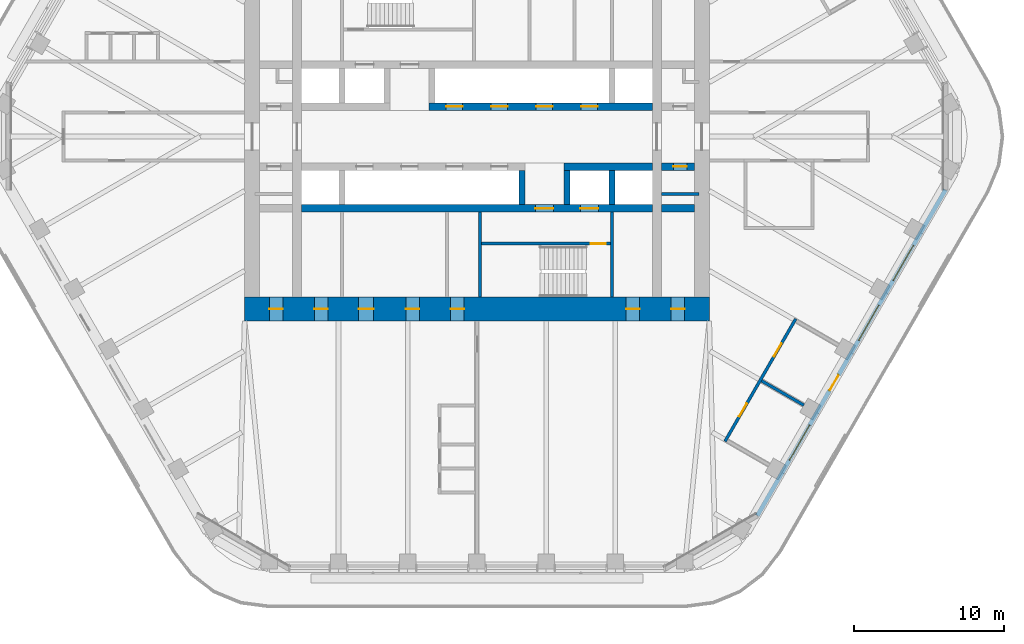
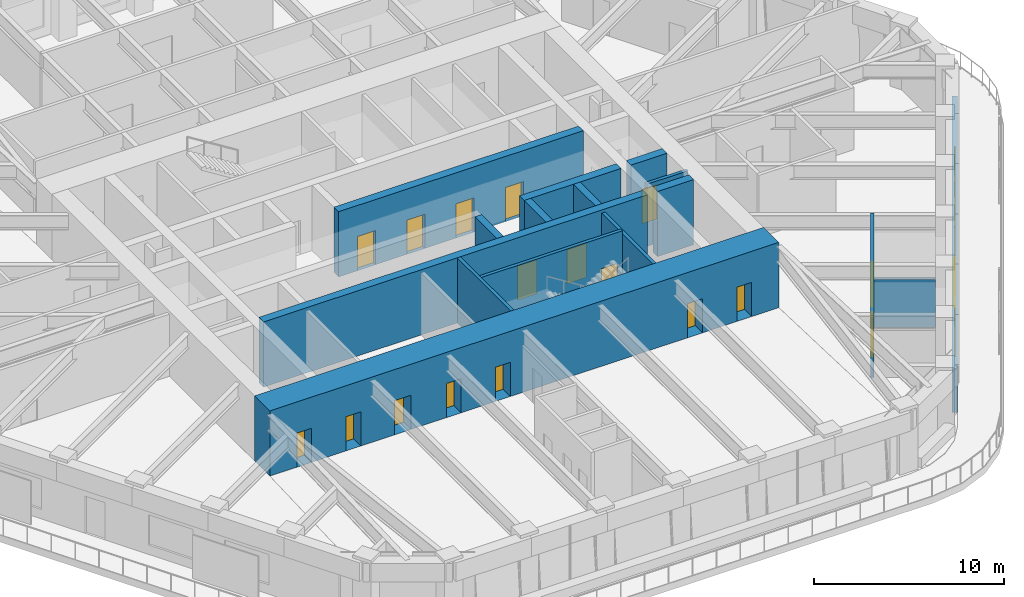
# One storey, part 15 of 20: 18 doors, 16 walls, 3 windows, 21 openings.
"""IFC4 building model written with IfcOpenShell, lengths in metres."""

from ifc_helpers import new_model, si_unit, direction, frame, frame_2d, origin, place, context, subcontext, project, spatial, rectangle, extrude, material, layer, layer_set, type_object, element, fill, save


model = new_model("IFC4")

# Units and contexts
model_context = context("Model", 3, precision=1e-05, world=origin(), true_north=direction((0.0, 1.0)))
body_context = subcontext(model_context, "Body", "Model", "MODEL_VIEW")
ifc_project = project(units=[si_unit("LENGTHUNIT", "METRE"), si_unit("AREAUNIT", "SQUARE_METRE"), si_unit("VOLUMEUNIT", "CUBIC_METRE"), si_unit("PLANEANGLEUNIT", "RADIAN"), si_unit("MASSUNIT", "GRAM", prefix="KILO")], contexts=[model_context])

# Site, building, storey
site_placement = place(None, origin())
site = spatial("IfcSite", under=ifc_project, at=site_placement, CompositionType="ELEMENT")
building_placement = place(site_placement, origin())
building = spatial("IfcBuilding", under=site, at=building_placement, Name="Tarfa Lantern Tower", CompositionType="ELEMENT")
storey_placement = place(building_placement, frame((0.0, 0.0, 278.5)))
storey = spatial("IfcBuildingStorey", under=building, at=storey_placement, Name="L63", CompositionType="ELEMENT", Elevation=278.5)

# Wall, openings, door, windows
ifc_material_1 = material(Name="Limestone cladding on blockwork", Category="masonry")
ifc_layer_1 = layer(ifc_material_1, 0.300048828125)
ifc_layer_set_1 = layer_set([ifc_layer_1], Name="EW1 STONE-CLAD WALL 300")
wall_type_1 = type_object("IfcWallType", Name="EW1 STONE-CLAD WALL 300", PredefinedType="SOLIDWALL", material=ifc_layer_set_1)
wall_1_placement = place(storey_placement, frame((18.70654296875, -25.299072265625, 0.0), z_axis=(0.0, 0.0, 1.0), x_axis=(0.500000442367, 0.866025148383, 0.0)))
wall_1 = element("IfcWall", 1, at=wall_1_placement, inside=storey, type_object=wall_type_1, Name="Stone wall SE", PredefinedType="SOLIDWALL", context=body_context, shape_type="SweptSolid", body=[
    extrude(rectangle(XDim=25.11279296875, YDim=0.300048828125, at=frame_2d((12.556396484375, 0.0))), origin(), (0.0, 0.0, 1.0), 2.800048828125),
])
opening_1_placement = place(wall_1_placement, frame((4.2783203125, 0.0, 0.60009765625)))
opening_1 = element("IfcOpeningElement", 2, at=opening_1_placement, cuts=wall_1, Name="Opening W14", PredefinedType="OPENING", context=body_context, shape_type="SweptSolid", body=[
    extrude(rectangle(XDim=2.699951171875, YDim=1.949951171875, at=frame_2d((1.35009765625, 0.97509765625))), frame((0.0, 0.159912109375, 0.0), z_axis=(0.0, -1.0, 0.0), x_axis=(1.0, 0.0, 0.0)), (0.0, 0.0, 1.0), 0.320068359375),
])
opening_2_placement = place(wall_1_placement, frame((9.64697265625, 0.0, 0.0)))
opening_2 = element("IfcOpeningElement", 3, at=opening_2_placement, cuts=wall_1, Name="Opening D51", PredefinedType="OPENING", context=body_context, shape_type="SweptSolid", body=[
    extrude(rectangle(XDim=1.199951171875, YDim=2.39990234375, at=frame_2d((0.60009765625, 1.199951171875))), frame((0.0, 0.159912109375, 0.0), z_axis=(0.0, -1.0, 0.0), x_axis=(1.0, 0.0, 0.0)), (0.0, 0.0, 1.0), 0.320068359375),
])
opening_3_placement = place(wall_1_placement, frame((13.515869140625, 0.0, 0.60009765625)))
opening_3 = element("IfcOpeningElement", 4, at=opening_3_placement, cuts=wall_1, Name="Opening W14", PredefinedType="OPENING", context=body_context, shape_type="SweptSolid", body=[
    extrude(rectangle(XDim=2.699951171875, YDim=1.949951171875, at=frame_2d((1.35009765625, 0.97509765625))), frame((0.0, 0.159912109375, 0.0), z_axis=(0.0, -1.0, 0.0), x_axis=(1.0, 0.0, 0.0)), (0.0, 0.0, 1.0), 0.320068359375),
])
opening_4_placement = place(wall_1_placement, frame((18.134521484375, 0.0, 0.60009765625)))
opening_4 = element("IfcOpeningElement", 5, at=opening_4_placement, cuts=wall_1, Name="Opening W14", PredefinedType="OPENING", context=body_context, shape_type="SweptSolid", body=[
    extrude(rectangle(XDim=2.699951171875, YDim=1.949951171875, at=frame_2d((1.35009765625, 0.97509765625))), frame((0.0, 0.159912109375, 0.0), z_axis=(0.0, -1.0, 0.0), x_axis=(1.0, 0.0, 0.0)), (0.0, 0.0, 1.0), 0.320068359375),
])
ifc_material_2 = material(Name="Aluminium framed glazed door", Category="aluminium")
door_type_1 = type_object("IfcDoorType", Name="BE3 BALCONY DOOR 1200x2400", OperationType="SINGLE_SWING_RIGHT", PredefinedType="DOOR", material=ifc_material_2)
door_1_placement = place(opening_2_placement, origin())
door_1 = element("IfcDoor", 6, at=door_1_placement, inside=storey, type_object=door_type_1, Name="Balcony door SE", OperationType="SINGLE_SWING_RIGHT", OverallHeight=2.39990234375, OverallWidth=1.199951171875, PredefinedType="DOOR", context=body_context, shape_type="SweptSolid", body=[
    extrude(rectangle(XDim=1.199951171875, YDim=2.39990234375, at=frame_2d((0.60009765625, 1.199951171875))), frame((0.0, 0.02490234375, 0.0), z_axis=(0.0, -1.0, 0.0), x_axis=(1.0, 0.0, 0.0)), (0.0, 0.0, 1.0), 0.050048828125),
])
fill(opening_2, door_1)
ifc_material_3 = material(Name="Aluminium frame, double glazed", Category="aluminium")
window_type = type_object("IfcWindowType", Name="W14 FULL-HEIGHT GLAZING 2700x1950", PartitioningType="SINGLE_PANEL", PredefinedType="WINDOW", material=ifc_material_3)
window_1_placement = place(opening_1_placement, origin())
window_1 = element("IfcWindow", 7, at=window_1_placement, inside=storey, type_object=window_type, Name="Window SE 2", OverallHeight=1.949951171875, OverallWidth=2.699951171875, PartitioningType="SINGLE_PANEL", PredefinedType="WINDOW", context=body_context, shape_type="SweptSolid", body=[
    extrude(rectangle(XDim=2.699951171875, YDim=1.949951171875, at=frame_2d((1.35009765625, 0.97509765625))), frame((0.0, 0.030029296875, 0.0), z_axis=(0.0, -1.0, 0.0), x_axis=(1.0, 0.0, 0.0)), (0.0, 0.0, 1.0), 0.06005859375),
])
fill(opening_1, window_1)
window_2_placement = place(opening_3_placement, origin())
window_2 = element("IfcWindow", 8, at=window_2_placement, inside=storey, type_object=window_type, Name="Window SE 4", OverallHeight=1.949951171875, OverallWidth=2.699951171875, PartitioningType="SINGLE_PANEL", PredefinedType="WINDOW", context=body_context, shape_type="SweptSolid", body=[
    extrude(rectangle(XDim=2.699951171875, YDim=1.949951171875, at=frame_2d((1.35009765625, 0.97509765625))), frame((0.0, 0.030029296875, 0.0), z_axis=(0.0, -1.0, 0.0), x_axis=(1.0, 0.0, 0.0)), (0.0, 0.0, 1.0), 0.06005859375),
])
fill(opening_3, window_2)
window_3_placement = place(opening_4_placement, origin())
window_3 = element("IfcWindow", 9, at=window_3_placement, inside=storey, type_object=window_type, Name="Window SE 5", OverallHeight=1.949951171875, OverallWidth=2.699951171875, PartitioningType="SINGLE_PANEL", PredefinedType="WINDOW", context=body_context, shape_type="SweptSolid", body=[
    extrude(rectangle(XDim=2.699951171875, YDim=1.949951171875, at=frame_2d((1.35009765625, 0.97509765625))), frame((0.0, 0.030029296875, 0.0), z_axis=(0.0, -1.0, 0.0), x_axis=(1.0, 0.0, 0.0)), (0.0, 0.0, 1.0), 0.06005859375),
])
fill(opening_4, window_3)

# Walls
ifc_material_4 = material(Name="Concrete blockwork", Category="masonry")
ifc_layer_2 = layer(ifc_material_4, 0.199951171875)
ifc_layer_set_2 = layer_set([ifc_layer_2], Name="IW1 BLOCKWORK PARTITION 200 EI 120")
wall_type_2 = type_object("IfcWallType", Name="IW1 BLOCKWORK PARTITION 200 EI 120", PredefinedType="PARTITIONING", material=ifc_layer_set_2)
wall_2_placement = place(storey_placement, frame((9.0, -5.050048828125, 0.0), z_axis=(0.0, 0.0, 1.0), x_axis=(0.0, -1.0, 0.0)))
element("IfcWall", 10, at=wall_2_placement, inside=storey, type_object=wall_type_2, Name="Core partition", PredefinedType="PARTITIONING", context=body_context, shape_type="SweptSolid", body=[
    extrude(rectangle(XDim=5.64990234375, YDim=0.199951171875, at=frame_2d((2.824951171875, 0.0))), origin(), (0.0, 0.0, 1.0), 4.0),
])
wall_3_placement = place(storey_placement, frame((14.800048828125, -3.85009765625, 0.0), z_axis=(0.0, 0.0, 1.0), x_axis=(-1.0, 0.0, 0.0)))
element("IfcWall", 11, at=wall_3_placement, inside=storey, type_object=wall_type_2, Name="Core partition", PredefinedType="PARTITIONING", context=body_context, shape_type="SweptSolid", body=[
    extrude(rectangle(XDim=2.5, YDim=0.199951171875, at=frame_2d((1.25, 0.0))), origin(), (0.0, 0.0, 1.0), 4.0),
])

# Wall, openings, doors
ifc_material_5 = material(Name="Gypsum board on steel studs", Category="steel")
ifc_layer_3 = layer(ifc_material_5, 0.2099609375)
ifc_layer_set_3 = layer_set([ifc_layer_3], Name="IW2 ACOUSTIC PARTITION 200")
wall_type_3 = type_object("IfcWallType", Name="IW2 ACOUSTIC PARTITION 200", PredefinedType="PARTITIONING", material=ifc_layer_set_3)
wall_4_placement = place(storey_placement, frame((16.548828125, -20.336669921875, 0.0), z_axis=(0.0, 0.0, 1.0), x_axis=(0.499989672313, 0.866031366395, 0.0)))
wall_4 = element("IfcWall", 12, at=wall_4_placement, inside=storey, type_object=wall_type_3, Name="Partition", PredefinedType="PARTITIONING", context=body_context, shape_type="SweptSolid", body=[
    extrude(rectangle(XDim=9.437744140625, YDim=0.199951171875, at=frame_2d((4.71875, 0.0))), origin(), (0.0, 0.0, 1.0), 4.0),
])
opening_5_placement = place(wall_4_placement, frame((1.909423828125, 0.0, 0.0)))
opening_5 = element("IfcOpeningElement", 13, at=opening_5_placement, cuts=wall_4, Name="Opening D31", PredefinedType="OPENING", context=body_context, shape_type="SweptSolid", body=[
    extrude(rectangle(XDim=1.0, YDim=2.199951171875, at=frame_2d((0.5, 1.10009765625))), frame((0.0, 0.10986328125, 0.0), z_axis=(0.0, -1.0, 0.0), x_axis=(1.0, 0.0, 0.0)), (0.0, 0.0, 1.0), 0.219970703125),
])
opening_6_placement = place(wall_4_placement, frame((6.5283203125, 0.0, 0.0)))
opening_6 = element("IfcOpeningElement", 14, at=opening_6_placement, cuts=wall_4, Name="Opening D32", PredefinedType="OPENING", context=body_context, shape_type="SweptSolid", body=[
    extrude(rectangle(XDim=1.0, YDim=2.199951171875, at=frame_2d((0.5, 1.10009765625))), frame((0.0, 0.10986328125, 0.0), z_axis=(0.0, -1.0, 0.0), x_axis=(1.0, 0.0, 0.0)), (0.0, 0.0, 1.0), 0.219970703125),
])
ifc_material_6 = material(Name="Timber door", Category="wood")
door_type_2 = type_object("IfcDoorType", Name="DR1 ROOM DOOR 1000x2200", OperationType="SINGLE_SWING_LEFT", PredefinedType="DOOR", material=ifc_material_6)
door_2_placement = place(opening_5_placement, frame((1.0, 0.0, 0.0), z_axis=(0.0, 0.0, 1.0), x_axis=(-1.0, 0.0, 0.0)))
door_2 = element("IfcDoor", 15, at=door_2_placement, inside=storey, type_object=door_type_2, Name="Office door", OperationType="SINGLE_SWING_LEFT", OverallHeight=2.199951171875, OverallWidth=1.0, PredefinedType="DOOR", context=body_context, shape_type="SweptSolid", body=[
    extrude(rectangle(XDim=1.0, YDim=2.199951171875, at=frame_2d((0.5, 1.10009765625))), frame((0.0, 0.02490234375, 0.0), z_axis=(0.0, -1.0, 0.0), x_axis=(1.0, 0.0, 0.0)), (0.0, 0.0, 1.0), 0.050048828125),
])
fill(opening_5, door_2)
door_3_placement = place(opening_6_placement, frame((1.0, 0.0, 0.0), z_axis=(0.0, 0.0, 1.0), x_axis=(-1.0, 0.0, 0.0)))
door_3 = element("IfcDoor", 16, at=door_3_placement, inside=storey, type_object=door_type_2, Name="Office door", OperationType="SINGLE_SWING_RIGHT", OverallHeight=2.199951171875, OverallWidth=1.0, PredefinedType="DOOR", context=body_context, shape_type="SweptSolid", body=[
    extrude(rectangle(XDim=1.0, YDim=2.199951171875, at=frame_2d((0.5, 1.10009765625))), frame((0.0, 0.02490234375, 0.0), z_axis=(0.0, -1.0, 0.0), x_axis=(1.0, 0.0, 0.0)), (0.0, 0.0, 1.0), 0.050048828125),
])
fill(opening_6, door_3)

# Walls
wall_5_placement = place(storey_placement, frame((18.994873046875, -16.300048828125, 0.0), z_axis=(0.0, 0.0, 1.0), x_axis=(0.866015446554, -0.500017246033, 0.0)))
element("IfcWall", 17, at=wall_5_placement, inside=storey, type_object=wall_type_3, Name="Partition", PredefinedType="PARTITIONING", context=body_context, shape_type="SweptSolid", body=[
    extrude(rectangle(XDim=3.25, YDim=0.199951171875, at=frame_2d((1.625, 0.0))), origin(), (0.0, 0.0, 1.0), 3.08154296875),
])
ifc_material_7 = material(Name="Concrete C80/95", Category="concrete")
ifc_layer_4 = layer(ifc_material_7, 0.199951171875)
ifc_layer_set_4 = layer_set([ifc_layer_4], Name="SW12 CORE WALL 200")
wall_type_4 = type_object("IfcWallType", Name="SW12 CORE WALL 200", PredefinedType="SHEAR", material=ifc_layer_set_4)
wall_6_placement = place(storey_placement, frame((0.199951171875, -5.050048828125, 0.0), z_axis=(0.0, 0.0, 1.0), x_axis=(0.0, -1.0, 0.0)))
element("IfcWall", 18, at=wall_6_placement, inside=storey, type_object=wall_type_4, Name="Core wall stair shaft S", PredefinedType="SHEAR", context=body_context, shape_type="SweptSolid", body=[
    extrude(rectangle(XDim=5.64990234375, YDim=0.199951171875, at=frame_2d((2.824951171875, 0.0))), origin(), (0.0, 0.0, 1.0), 4.199951171875),
])

# Wall, opening, door
wall_7_placement = place(storey_placement, frame((8.89990234375, -7.14990234375, 0.0), z_axis=(0.0, 0.0, 1.0), x_axis=(-1.0, 0.0, 0.0)))
wall_7 = element("IfcWall", 19, at=wall_7_placement, inside=storey, type_object=wall_type_4, Name="Core wall stair partition S", PredefinedType="SHEAR", context=body_context, shape_type="SweptSolid", body=[
    extrude(rectangle(XDim=8.599853515625, YDim=0.199951171875, at=frame_2d((4.2998046875, 0.0))), origin(), (0.0, 0.0, 1.0), 4.199951171875),
])
opening_7_placement = place(wall_7_placement, frame((0.300048828125, 0.0, 0.0)))
opening_7 = element("IfcOpeningElement", 20, at=opening_7_placement, cuts=wall_7, Name="Opening D24", PredefinedType="OPENING", context=body_context, shape_type="SweptSolid", body=[
    extrude(rectangle(XDim=1.0, YDim=2.199951171875, at=frame_2d((0.5, 1.10009765625))), frame((0.0, 0.10986328125, 0.0), z_axis=(0.0, -1.0, 0.0), x_axis=(1.0, 0.0, 0.0)), (0.0, 0.0, 1.0), 0.219970703125),
])
ifc_material_8 = material(Name="Steel fire door", Category="steel")
door_type_3 = type_object("IfcDoorType", Name="DF2 STAIR DOOR 1000x2200", OperationType="SINGLE_SWING_LEFT", PredefinedType="DOOR", material=ifc_material_8)
door_4_placement = place(opening_7_placement, origin())
door_4 = element("IfcDoor", 21, at=door_4_placement, inside=storey, type_object=door_type_3, Name="Stair door", OperationType="SINGLE_SWING_RIGHT", OverallHeight=2.199951171875, OverallWidth=1.0, PredefinedType="DOOR", context=body_context, shape_type="SweptSolid", body=[
    extrude(rectangle(XDim=1.0, YDim=2.199951171875, at=frame_2d((0.5, 1.10009765625))), frame((0.0, 0.02490234375, 0.0), z_axis=(0.0, -1.0, 0.0), x_axis=(1.0, 0.0, 0.0)), (0.0, 0.0, 1.0), 0.050048828125),
])
fill(opening_7, door_4)

# Wall, openings, doors
ifc_layer_5 = layer(ifc_material_7, 0.5)
ifc_layer_set_5 = layer_set([ifc_layer_5], Name="SW5 CORE WALL 500")
wall_type_5 = type_object("IfcWallType", Name="SW5 CORE WALL 500", PredefinedType="SHEAR", material=ifc_layer_set_5)
wall_8_placement = place(storey_placement, frame((-3.199951171875, 2.0, 0.0), z_axis=(0.0, 0.0, 1.0), x_axis=(1.0, 0.0, 0.0)))
wall_8 = element("IfcWall", 22, at=wall_8_placement, inside=storey, type_object=wall_type_5, Name="Core wall lobby east N", PredefinedType="SHEAR", context=body_context, shape_type="SweptSolid", body=[
    extrude(rectangle(XDim=14.89990234375, YDim=0.5, at=frame_2d((7.449951171875, 0.0))), origin(), (0.0, 0.0, 1.0), 4.199951171875),
])
opening_8_placement = place(wall_8_placement, frame((1.14990234375, 0.0, 0.0)))
opening_8 = element("IfcOpeningElement", 23, at=opening_8_placement, cuts=wall_8, Name="Opening LD03", PredefinedType="OPENING", context=body_context, shape_type="SweptSolid", body=[
    extrude(rectangle(XDim=1.10009765625, YDim=2.199951171875, at=frame_2d((0.550048828125, 1.10009765625))), frame((0.0, 0.260009765625, 0.0), z_axis=(0.0, -1.0, 0.0), x_axis=(1.0, 0.0, 0.0)), (0.0, 0.0, 1.0), 0.52001953125),
])
opening_9_placement = place(wall_8_placement, frame((4.14990234375, 0.0, 0.0)))
opening_9 = element("IfcOpeningElement", 24, at=opening_9_placement, cuts=wall_8, Name="Opening LD04", PredefinedType="OPENING", context=body_context, shape_type="SweptSolid", body=[
    extrude(rectangle(XDim=1.10009765625, YDim=2.199951171875, at=frame_2d((0.550048828125, 1.10009765625))), frame((0.0, 0.260009765625, 0.0), z_axis=(0.0, -1.0, 0.0), x_axis=(1.0, 0.0, 0.0)), (0.0, 0.0, 1.0), 0.52001953125),
])
opening_10_placement = place(wall_8_placement, frame((7.14990234375, 0.0, 0.0)))
opening_10 = element("IfcOpeningElement", 25, at=opening_10_placement, cuts=wall_8, Name="Opening LD05", PredefinedType="OPENING", context=body_context, shape_type="SweptSolid", body=[
    extrude(rectangle(XDim=1.10009765625, YDim=2.199951171875, at=frame_2d((0.550048828125, 1.10009765625))), frame((0.0, 0.260009765625, 0.0), z_axis=(0.0, -1.0, 0.0), x_axis=(1.0, 0.0, 0.0)), (0.0, 0.0, 1.0), 0.52001953125),
])
opening_11_placement = place(wall_8_placement, frame((10.14990234375, 0.0, 0.0)))
opening_11 = element("IfcOpeningElement", 26, at=opening_11_placement, cuts=wall_8, Name="Opening LD06", PredefinedType="OPENING", context=body_context, shape_type="SweptSolid", body=[
    extrude(rectangle(XDim=1.10009765625, YDim=2.199951171875, at=frame_2d((0.550048828125, 1.10009765625))), frame((0.0, 0.260009765625, 0.0), z_axis=(0.0, -1.0, 0.0), x_axis=(1.0, 0.0, 0.0)), (0.0, 0.0, 1.0), 0.52001953125),
])
ifc_material_9 = material(Name="Stainless steel lift door", Category="steel")
door_type_4 = type_object("IfcDoorType", Name="LD2 LIFT LANDING DOOR 1100x2200", OperationType="SLIDING_TO_LEFT", PredefinedType="DOOR", material=ifc_material_9)
door_5_placement = place(opening_8_placement, frame((1.10009765625, 0.0, 0.0), z_axis=(0.0, 0.0, 1.0), x_axis=(-1.0, 0.0, 0.0)))
door_5 = element("IfcDoor", 27, at=door_5_placement, inside=storey, type_object=door_type_4, Name="Landing door PC1", OperationType="SLIDING_TO_LEFT", OverallHeight=2.199951171875, OverallWidth=1.10009765625, PredefinedType="DOOR", context=body_context, shape_type="SweptSolid", body=[
    extrude(rectangle(XDim=1.10009765625, YDim=2.199951171875, at=frame_2d((0.550048828125, 1.10009765625))), frame((0.0, 0.02490234375, 0.0), z_axis=(0.0, -1.0, 0.0), x_axis=(1.0, 0.0, 0.0)), (0.0, 0.0, 1.0), 0.050048828125),
])
fill(opening_8, door_5)
door_6_placement = place(opening_9_placement, frame((1.10009765625, 0.0, 0.0), z_axis=(0.0, 0.0, 1.0), x_axis=(-1.0, 0.0, 0.0)))
door_6 = element("IfcDoor", 28, at=door_6_placement, inside=storey, type_object=door_type_4, Name="Landing door PC2", OperationType="SLIDING_TO_LEFT", OverallHeight=2.199951171875, OverallWidth=1.10009765625, PredefinedType="DOOR", context=body_context, shape_type="SweptSolid", body=[
    extrude(rectangle(XDim=1.10009765625, YDim=2.199951171875, at=frame_2d((0.550048828125, 1.10009765625))), frame((0.0, 0.02490234375, 0.0), z_axis=(0.0, -1.0, 0.0), x_axis=(1.0, 0.0, 0.0)), (0.0, 0.0, 1.0), 0.050048828125),
])
fill(opening_9, door_6)
door_7_placement = place(opening_10_placement, frame((1.10009765625, 0.0, 0.0), z_axis=(0.0, 0.0, 1.0), x_axis=(-1.0, 0.0, 0.0)))
door_7 = element("IfcDoor", 29, at=door_7_placement, inside=storey, type_object=door_type_4, Name="Landing door PC3", OperationType="SLIDING_TO_LEFT", OverallHeight=2.199951171875, OverallWidth=1.10009765625, PredefinedType="DOOR", context=body_context, shape_type="SweptSolid", body=[
    extrude(rectangle(XDim=1.10009765625, YDim=2.199951171875, at=frame_2d((0.550048828125, 1.10009765625))), frame((0.0, 0.02490234375, 0.0), z_axis=(0.0, -1.0, 0.0), x_axis=(1.0, 0.0, 0.0)), (0.0, 0.0, 1.0), 0.050048828125),
])
fill(opening_10, door_7)
door_8_placement = place(opening_11_placement, frame((1.10009765625, 0.0, 0.0), z_axis=(0.0, 0.0, 1.0), x_axis=(-1.0, 0.0, 0.0)))
door_8 = element("IfcDoor", 30, at=door_8_placement, inside=storey, type_object=door_type_4, Name="Landing door PC4", OperationType="SLIDING_TO_LEFT", OverallHeight=2.199951171875, OverallWidth=1.10009765625, PredefinedType="DOOR", context=body_context, shape_type="SweptSolid", body=[
    extrude(rectangle(XDim=1.10009765625, YDim=2.199951171875, at=frame_2d((0.550048828125, 1.10009765625))), frame((0.0, 0.02490234375, 0.0), z_axis=(0.0, -1.0, 0.0), x_axis=(1.0, 0.0, 0.0)), (0.0, 0.0, 1.0), 0.050048828125),
])
fill(opening_11, door_8)

# Wall, opening, door
wall_9_placement = place(storey_placement, frame((14.5, -2.0, 0.0), z_axis=(0.0, 0.0, 1.0), x_axis=(-1.0, 0.0, 0.0)))
wall_9 = element("IfcWall", 31, at=wall_9_placement, inside=storey, type_object=wall_type_5, Name="Core wall lobby west S", PredefinedType="SHEAR", context=body_context, shape_type="SweptSolid", body=[
    extrude(rectangle(XDim=2.199951171875, YDim=0.5, at=frame_2d((1.10009765625, 0.0))), origin(), (0.0, 0.0, 1.0), 4.199951171875),
])
opening_12_placement = place(wall_9_placement, frame((0.5, 0.0, 0.0)))
opening_12 = element("IfcOpeningElement", 32, at=opening_12_placement, cuts=wall_9, Name="Opening D16", PredefinedType="OPENING", context=body_context, shape_type="SweptSolid", body=[
    extrude(rectangle(XDim=0.89990234375, YDim=2.199951171875, at=frame_2d((0.449951171875, 1.10009765625))), frame((0.0, 0.260009765625, 0.0), z_axis=(0.0, -1.0, 0.0), x_axis=(1.0, 0.0, 0.0)), (0.0, 0.0, 1.0), 0.52001953125),
])
door_type_5 = type_object("IfcDoorType", Name="DF6 SERVICE ROOM DOOR 900x2200", OperationType="SINGLE_SWING_LEFT", PredefinedType="DOOR", material=ifc_material_8)
door_9_placement = place(opening_12_placement, origin())
door_9 = element("IfcDoor", 33, at=door_9_placement, inside=storey, type_object=door_type_5, Name="Service room door", OperationType="SINGLE_SWING_RIGHT", OverallHeight=2.199951171875, OverallWidth=0.89990234375, PredefinedType="DOOR", context=body_context, shape_type="SweptSolid", body=[
    extrude(rectangle(XDim=0.89990234375, YDim=2.199951171875, at=frame_2d((0.449951171875, 1.10009765625))), frame((0.0, 0.02490234375, 0.0), z_axis=(0.0, -1.0, 0.0), x_axis=(1.0, 0.0, 0.0)), (0.0, 0.0, 1.0), 0.050048828125),
])
fill(opening_12, door_9)

# Walls
wall_10_placement = place(storey_placement, frame((11.699951171875, -2.0, 0.0), z_axis=(0.0, 0.0, 1.0), x_axis=(-1.0, 0.0, 0.0)))
element("IfcWall", 34, at=wall_10_placement, inside=storey, type_object=wall_type_5, Name="Core wall lobby west S", PredefinedType="SHEAR", context=body_context, shape_type="SweptSolid", body=[
    extrude(rectangle(XDim=5.89990234375, YDim=0.5, at=frame_2d((2.949951171875, 0.0))), origin(), (0.0, 0.0, 1.0), 4.199951171875),
])
wall_11_placement = place(storey_placement, frame((14.5, -4.800048828125, 0.0), z_axis=(0.0, 0.0, 1.0), x_axis=(-1.0, 0.0, 0.0)))
element("IfcWall", 35, at=wall_11_placement, inside=storey, type_object=wall_type_5, Name="Core wall rear S", PredefinedType="SHEAR", context=body_context, shape_type="SweptSolid", body=[
    extrude(rectangle(XDim=2.199951171875, YDim=0.5, at=frame_2d((1.10009765625, 0.0))), origin(), (0.0, 0.0, 1.0), 4.199951171875),
])

# Wall, openings, doors
wall_12_placement = place(storey_placement, frame((11.699951171875, -4.800048828125, 0.0), z_axis=(0.0, 0.0, 1.0), x_axis=(-1.0, 0.0, 0.0)))
wall_12 = element("IfcWall", 36, at=wall_12_placement, inside=storey, type_object=wall_type_5, Name="Core wall rear S", PredefinedType="SHEAR", context=body_context, shape_type="SweptSolid", body=[
    extrude(rectangle(XDim=23.39990234375, YDim=0.5, at=frame_2d((11.699951171875, 0.0))), origin(), (0.0, 0.0, 1.0), 4.199951171875),
])
opening_13_placement = place(wall_12_placement, frame((6.60009765625, 0.0, 0.0)))
opening_13 = element("IfcOpeningElement", 37, at=opening_13_placement, cuts=wall_12, Name="Opening D10", PredefinedType="OPENING", context=body_context, shape_type="SweptSolid", body=[
    extrude(rectangle(XDim=1.199951171875, YDim=2.199951171875, at=frame_2d((0.60009765625, 1.10009765625))), frame((0.0, 0.260009765625, 0.0), z_axis=(0.0, -1.0, 0.0), x_axis=(1.0, 0.0, 0.0)), (0.0, 0.0, 1.0), 0.52001953125),
])
opening_14_placement = place(wall_12_placement, frame((3.60009765625, 0.0, 0.0)))
opening_14 = element("IfcOpeningElement", 38, at=opening_14_placement, cuts=wall_12, Name="Opening LD02", PredefinedType="OPENING", context=body_context, shape_type="SweptSolid", body=[
    extrude(rectangle(XDim=1.199951171875, YDim=2.199951171875, at=frame_2d((0.60009765625, 1.10009765625))), frame((0.0, 0.260009765625, 0.0), z_axis=(0.0, -1.0, 0.0), x_axis=(1.0, 0.0, 0.0)), (0.0, 0.0, 1.0), 0.52001953125),
])
door_type_6 = type_object("IfcDoorType", Name="DF1 FIREFIGHTING LOBBY DOOR 1200x2200", OperationType="SINGLE_SWING_LEFT", PredefinedType="DOOR", material=ifc_material_8)
door_10_placement = place(opening_13_placement, origin())
door_10 = element("IfcDoor", 39, at=door_10_placement, inside=storey, type_object=door_type_6, Name="Firefighting lobby door", OperationType="SINGLE_SWING_LEFT", OverallHeight=2.199951171875, OverallWidth=1.199951171875, PredefinedType="DOOR", context=body_context, shape_type="SweptSolid", body=[
    extrude(rectangle(XDim=1.199951171875, YDim=2.199951171875, at=frame_2d((0.60009765625, 1.10009765625))), frame((0.0, 0.02490234375, 0.0), z_axis=(0.0, -1.0, 0.0), x_axis=(1.0, 0.0, 0.0)), (0.0, 0.0, 1.0), 0.050048828125),
])
fill(opening_13, door_10)
door_type_7 = type_object("IfcDoorType", Name="LD1 LIFT LANDING DOOR 1200x2200", OperationType="SLIDING_TO_LEFT", PredefinedType="DOOR", material=ifc_material_9)
door_11_placement = place(opening_14_placement, origin())
door_11 = element("IfcDoor", 40, at=door_11_placement, inside=storey, type_object=door_type_7, Name="Landing door FL2", OperationType="SLIDING_TO_LEFT", OverallHeight=2.199951171875, OverallWidth=1.199951171875, PredefinedType="DOOR", context=body_context, shape_type="SweptSolid", body=[
    extrude(rectangle(XDim=1.199951171875, YDim=2.199951171875, at=frame_2d((0.60009765625, 1.10009765625))), frame((0.0, 0.02490234375, 0.0), z_axis=(0.0, -1.0, 0.0), x_axis=(1.0, 0.0, 0.0)), (0.0, 0.0, 1.0), 0.050048828125),
])
fill(opening_14, door_11)

# Walls
ifc_layer_6 = layer(ifc_material_7, 0.39990234375)
ifc_layer_set_6 = layer_set([ifc_layer_6], Name="SW6 CORE WALL 400")
wall_type_6 = type_object("IfcWallType", Name="SW6 CORE WALL 400", PredefinedType="SHEAR", material=ifc_layer_set_6)
for number, where, z_axis, x_axis, name in (
    (41, (9.0, -2.25, 0.0), (0.0, 0.0, 1.0), (0.0, -1.0, 0.0), "Core wall divider S"),
    (42, (6.0, -2.25, 0.0), (0.0, 0.0, 1.0), (0.0, -1.0, 0.0), "Core wall divider S"),
    (43, (3.0, -2.25, 0.0), (0.0, 0.0, 1.0), (0.0, -1.0, 0.0), "Core wall divider S"),
):
    element("IfcWall", number, at=place(storey_placement, frame(where, z_axis=z_axis, x_axis=x_axis)), inside=storey, type_object=wall_type_6, Name=name, PredefinedType="SHEAR", context=body_context, shape_type="SweptSolid", body=[
        extrude(rectangle(XDim=2.300048828125, YDim=0.39990234375, at=frame_2d((1.14990234375, 0.0))), origin(), (0.0, 0.0, 1.0), 4.199951171875),
    ])

# Wall, openings, doors
ifc_layer_7 = layer(ifc_material_7, 1.60009765625)
ifc_layer_set_7 = layer_set([ifc_layer_7], Name="SW7 CORE WALL 1600")
wall_type_7 = type_object("IfcWallType", Name="SW7 CORE WALL 1600", PredefinedType="SHEAR", material=ifc_layer_set_7)
wall_13_placement = place(storey_placement, frame((15.5, -11.5, 0.0), z_axis=(0.0, 0.0, 1.0), x_axis=(-1.0, 0.0, 0.0)))
wall_13 = element("IfcWall", 44, at=wall_13_placement, inside=storey, type_object=wall_type_7, Name="Core wall S", PredefinedType="SHEAR", context=body_context, shape_type="SweptSolid", body=[
    extrude(rectangle(XDim=31.0, YDim=1.60009765625, at=frame_2d((15.5, 0.0))), origin(), (0.0, 0.0, 1.0), 4.199951171875),
])
opening_15_placement = place(wall_13_placement, frame((16.35009765625, 0.0, 0.0)))
opening_15 = element("IfcOpeningElement", 45, at=opening_15_placement, cuts=wall_13, Name="Opening D18", PredefinedType="OPENING", context=body_context, shape_type="SweptSolid", body=[
    extrude(rectangle(XDim=0.89990234375, YDim=2.199951171875, at=frame_2d((0.449951171875, 1.10009765625))), frame((0.0, 0.81005859375, 0.0), z_axis=(0.0, -1.0, 0.0), x_axis=(1.0, 0.0, 0.0)), (0.0, 0.0, 1.0), 1.6201171875),
])
opening_16_placement = place(wall_13_placement, frame((19.35009765625, 0.0, 0.0)))
opening_16 = element("IfcOpeningElement", 46, at=opening_16_placement, cuts=wall_13, Name="Opening D20", PredefinedType="OPENING", context=body_context, shape_type="SweptSolid", body=[
    extrude(rectangle(XDim=0.89990234375, YDim=2.199951171875, at=frame_2d((0.449951171875, 1.10009765625))), frame((0.0, 0.81005859375, 0.0), z_axis=(0.0, -1.0, 0.0), x_axis=(1.0, 0.0, 0.0)), (0.0, 0.0, 1.0), 1.6201171875),
])
opening_17_placement = place(wall_13_placement, frame((22.39990234375, 0.0, 0.0)))
opening_17 = element("IfcOpeningElement", 47, at=opening_17_placement, cuts=wall_13, Name="Opening D22", PredefinedType="OPENING", context=body_context, shape_type="SweptSolid", body=[
    extrude(rectangle(XDim=1.0, YDim=2.199951171875, at=frame_2d((0.5, 1.10009765625))), frame((0.0, 0.81005859375, 0.0), z_axis=(0.0, -1.0, 0.0), x_axis=(1.0, 0.0, 0.0)), (0.0, 0.0, 1.0), 1.6201171875),
])
opening_18_placement = place(wall_13_placement, frame((1.64990234375, 0.0, 0.0)))
opening_18 = element("IfcOpeningElement", 48, at=opening_18_placement, cuts=wall_13, Name="Opening D08", PredefinedType="OPENING", context=body_context, shape_type="SweptSolid", body=[
    extrude(rectangle(XDim=0.89990234375, YDim=2.199951171875, at=frame_2d((0.449951171875, 1.10009765625))), frame((0.0, 0.81005859375, 0.0), z_axis=(0.0, -1.0, 0.0), x_axis=(1.0, 0.0, 0.0)), (0.0, 0.0, 1.0), 1.6201171875),
])
opening_19_placement = place(wall_13_placement, frame((4.64990234375, 0.0, 0.0)))
opening_19 = element("IfcOpeningElement", 49, at=opening_19_placement, cuts=wall_13, Name="Opening D06", PredefinedType="OPENING", context=body_context, shape_type="SweptSolid", body=[
    extrude(rectangle(XDim=0.89990234375, YDim=2.199951171875, at=frame_2d((0.449951171875, 1.10009765625))), frame((0.0, 0.81005859375, 0.0), z_axis=(0.0, -1.0, 0.0), x_axis=(1.0, 0.0, 0.0)), (0.0, 0.0, 1.0), 1.6201171875),
])
opening_20_placement = place(wall_13_placement, frame((25.449951171875, 0.0, 0.0)))
opening_20 = element("IfcOpeningElement", 50, at=opening_20_placement, cuts=wall_13, Name="Opening D04", PredefinedType="OPENING", context=body_context, shape_type="SweptSolid", body=[
    extrude(rectangle(XDim=0.89990234375, YDim=2.199951171875, at=frame_2d((0.449951171875, 1.10009765625))), frame((0.0, 0.81005859375, 0.0), z_axis=(0.0, -1.0, 0.0), x_axis=(1.0, 0.0, 0.0)), (0.0, 0.0, 1.0), 1.6201171875),
])
opening_21_placement = place(wall_13_placement, frame((28.449951171875, 0.0, 0.0)))
opening_21 = element("IfcOpeningElement", 51, at=opening_21_placement, cuts=wall_13, Name="Opening D02", PredefinedType="OPENING", context=body_context, shape_type="SweptSolid", body=[
    extrude(rectangle(XDim=0.89990234375, YDim=2.199951171875, at=frame_2d((0.449951171875, 1.10009765625))), frame((0.0, 0.81005859375, 0.0), z_axis=(0.0, -1.0, 0.0), x_axis=(1.0, 0.0, 0.0)), (0.0, 0.0, 1.0), 1.6201171875),
])
door_type_8 = type_object("IfcDoorType", Name="DF3 CORE ROOM DOOR 900x2200", OperationType="SINGLE_SWING_LEFT", PredefinedType="DOOR", material=ifc_material_8)
door_12_placement = place(opening_15_placement, frame((0.89990234375, 0.0, 0.0), z_axis=(0.0, 0.0, 1.0), x_axis=(-1.0, 0.0, 0.0)))
door_12 = element("IfcDoor", 52, at=door_12_placement, inside=storey, type_object=door_type_8, Name="Core door", OperationType="SINGLE_SWING_RIGHT", OverallHeight=2.199951171875, OverallWidth=0.89990234375, PredefinedType="DOOR", context=body_context, shape_type="SweptSolid", body=[
    extrude(rectangle(XDim=0.89990234375, YDim=2.199951171875, at=frame_2d((0.449951171875, 1.10009765625))), frame((0.0, 0.02490234375, 0.0), z_axis=(0.0, -1.0, 0.0), x_axis=(1.0, 0.0, 0.0)), (0.0, 0.0, 1.0), 0.050048828125),
])
fill(opening_15, door_12)
door_13_placement = place(opening_16_placement, frame((0.89990234375, 0.0, 0.0), z_axis=(0.0, 0.0, 1.0), x_axis=(-1.0, 0.0, 0.0)))
door_13 = element("IfcDoor", 53, at=door_13_placement, inside=storey, type_object=door_type_8, Name="Core door", OperationType="SINGLE_SWING_LEFT", OverallHeight=2.199951171875, OverallWidth=0.89990234375, PredefinedType="DOOR", context=body_context, shape_type="SweptSolid", body=[
    extrude(rectangle(XDim=0.89990234375, YDim=2.199951171875, at=frame_2d((0.449951171875, 1.10009765625))), frame((0.0, 0.02490234375, 0.0), z_axis=(0.0, -1.0, 0.0), x_axis=(1.0, 0.0, 0.0)), (0.0, 0.0, 1.0), 0.050048828125),
])
fill(opening_16, door_13)
door_type_9 = type_object("IfcDoorType", Name="DF4 CORE ROOM DOOR 1000x2200", OperationType="SINGLE_SWING_LEFT", PredefinedType="DOOR", material=ifc_material_8)
door_14_placement = place(opening_17_placement, frame((1.0, 0.0, 0.0), z_axis=(0.0, 0.0, 1.0), x_axis=(-1.0, 0.0, 0.0)))
door_14 = element("IfcDoor", 54, at=door_14_placement, inside=storey, type_object=door_type_9, Name="Core door", OperationType="SINGLE_SWING_RIGHT", OverallHeight=2.199951171875, OverallWidth=1.0, PredefinedType="DOOR", context=body_context, shape_type="SweptSolid", body=[
    extrude(rectangle(XDim=1.0, YDim=2.199951171875, at=frame_2d((0.5, 1.10009765625))), frame((0.0, 0.02490234375, 0.0), z_axis=(0.0, -1.0, 0.0), x_axis=(1.0, 0.0, 0.0)), (0.0, 0.0, 1.0), 0.050048828125),
])
fill(opening_17, door_14)
door_type_10 = type_object("IfcDoorType", Name="DF5 RISER DOOR 900x2200", OperationType="SINGLE_SWING_LEFT", PredefinedType="DOOR", material=ifc_material_8)
door_15_placement = place(opening_18_placement, frame((0.89990234375, 0.0, 0.0), z_axis=(0.0, 0.0, 1.0), x_axis=(-1.0, 0.0, 0.0)))
door_15 = element("IfcDoor", 55, at=door_15_placement, inside=storey, type_object=door_type_10, Name="Riser door", OperationType="SINGLE_SWING_LEFT", OverallHeight=2.199951171875, OverallWidth=0.89990234375, PredefinedType="DOOR", context=body_context, shape_type="SweptSolid", body=[
    extrude(rectangle(XDim=0.89990234375, YDim=2.199951171875, at=frame_2d((0.449951171875, 1.10009765625))), frame((0.0, 0.02490234375, 0.0), z_axis=(0.0, -1.0, 0.0), x_axis=(1.0, 0.0, 0.0)), (0.0, 0.0, 1.0), 0.050048828125),
])
fill(opening_18, door_15)
door_16_placement = place(opening_19_placement, frame((0.89990234375, 0.0, 0.0), z_axis=(0.0, 0.0, 1.0), x_axis=(-1.0, 0.0, 0.0)))
door_16 = element("IfcDoor", 56, at=door_16_placement, inside=storey, type_object=door_type_10, Name="Riser door", OperationType="SINGLE_SWING_LEFT", OverallHeight=2.199951171875, OverallWidth=0.89990234375, PredefinedType="DOOR", context=body_context, shape_type="SweptSolid", body=[
    extrude(rectangle(XDim=0.89990234375, YDim=2.199951171875, at=frame_2d((0.449951171875, 1.10009765625))), frame((0.0, 0.02490234375, 0.0), z_axis=(0.0, -1.0, 0.0), x_axis=(1.0, 0.0, 0.0)), (0.0, 0.0, 1.0), 0.050048828125),
])
fill(opening_19, door_16)
door_17_placement = place(opening_20_placement, frame((0.89990234375, 0.0, 0.0), z_axis=(0.0, 0.0, 1.0), x_axis=(-1.0, 0.0, 0.0)))
door_17 = element("IfcDoor", 57, at=door_17_placement, inside=storey, type_object=door_type_10, Name="Riser door", OperationType="SINGLE_SWING_RIGHT", OverallHeight=2.199951171875, OverallWidth=0.89990234375, PredefinedType="DOOR", context=body_context, shape_type="SweptSolid", body=[
    extrude(rectangle(XDim=0.89990234375, YDim=2.199951171875, at=frame_2d((0.449951171875, 1.10009765625))), frame((0.0, 0.02490234375, 0.0), z_axis=(0.0, -1.0, 0.0), x_axis=(1.0, 0.0, 0.0)), (0.0, 0.0, 1.0), 0.050048828125),
])
fill(opening_20, door_17)
door_18_placement = place(opening_21_placement, frame((0.89990234375, 0.0, 0.0), z_axis=(0.0, 0.0, 1.0), x_axis=(-1.0, 0.0, 0.0)))
door_18 = element("IfcDoor", 58, at=door_18_placement, inside=storey, type_object=door_type_10, Name="Riser door", OperationType="SINGLE_SWING_RIGHT", OverallHeight=2.199951171875, OverallWidth=0.89990234375, PredefinedType="DOOR", context=body_context, shape_type="SweptSolid", body=[
    extrude(rectangle(XDim=0.89990234375, YDim=2.199951171875, at=frame_2d((0.449951171875, 1.10009765625))), frame((0.0, 0.02490234375, 0.0), z_axis=(0.0, -1.0, 0.0), x_axis=(1.0, 0.0, 0.0)), (0.0, 0.0, 1.0), 0.050048828125),
])
fill(opening_21, door_18)

save(model, "model.ifc")
